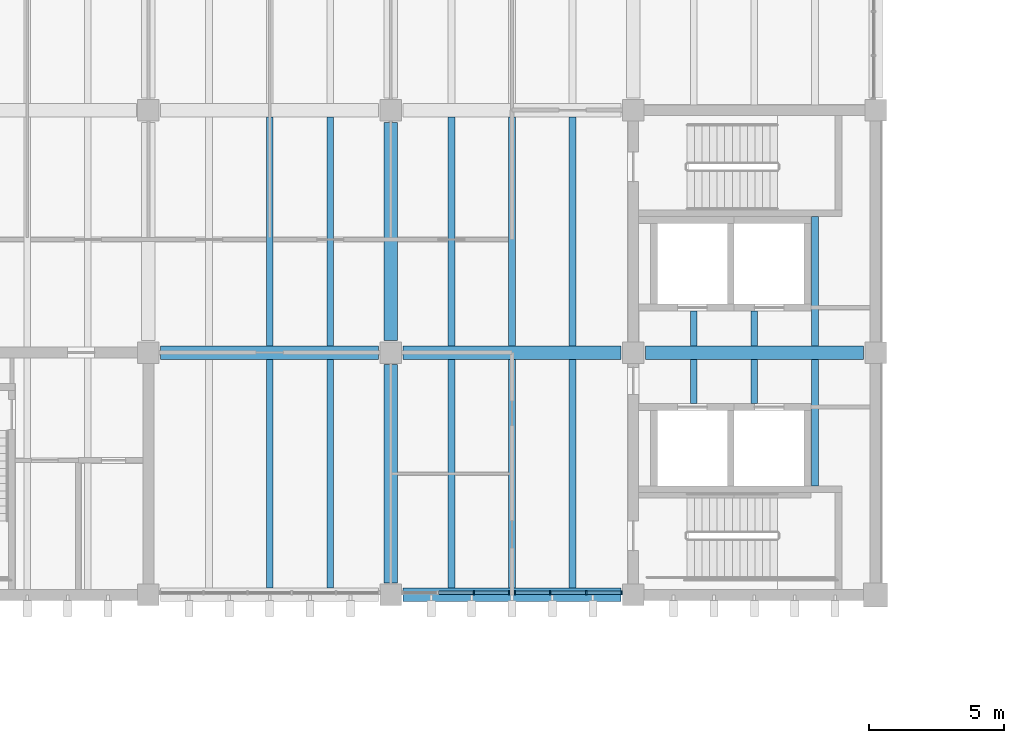
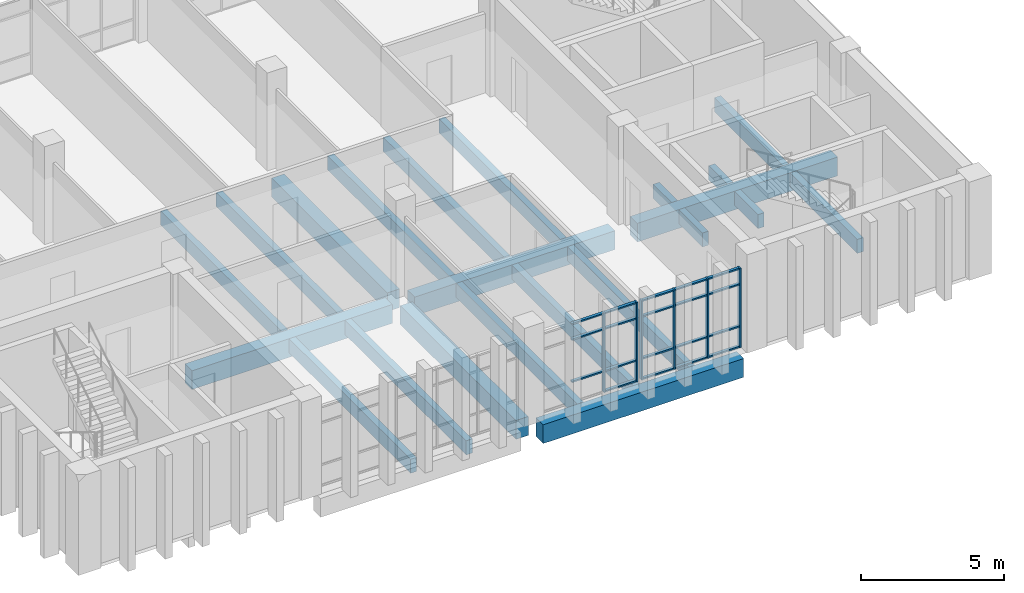
# One storey, part 17 of 50: 25 members, 22 beams, 2 elements without a shape of their own.
"""IFC4 building model written with IfcOpenShell, lengths in metres."""

from ifc_helpers import new_model, si_unit, direction, frame, origin, origin_2d, place, context, subcontext, project, spatial, rectangle, extrude, material, material_profile, profile_set, type_object, element, aggregate, save


model = new_model("IFC4")

# Units and contexts
model_context = context("Model", 3, precision=1e-05, world=origin(), true_north=direction((0.0, 1.0)))
body_context = subcontext(model_context, "Body", "Model", "MODEL_VIEW")
ifc_project = project(units=[si_unit("LENGTHUNIT", "METRE"), si_unit("AREAUNIT", "SQUARE_METRE"), si_unit("VOLUMEUNIT", "CUBIC_METRE"), si_unit("PLANEANGLEUNIT", "RADIAN"), si_unit("MASSUNIT", "GRAM", prefix="KILO")], contexts=[model_context])

# Site, building, storey
site_placement = place(None, origin())
site = spatial("IfcSite", under=ifc_project, at=site_placement, CompositionType="ELEMENT")
building_placement = place(site_placement, origin())
building = spatial("IfcBuilding", under=site, at=building_placement, Name="Merrow Basin Faculty of Sciences", CompositionType="ELEMENT")
storey_placement = place(building_placement, frame((0.0, 0.0, 18.0)))
storey = spatial("IfcBuildingStorey", under=building, at=storey_placement, Name="L04", CompositionType="ELEMENT", Elevation=18.0)

# Curtain wall, members
ifc_material_1 = material(Name="Aluminium alloy 6063", Category="aluminium")
curtain_wall_type = type_object("IfcCurtainWallType", Name="Unitised curtain wall 160", PredefinedType="NOTDEFINED", material=ifc_material_1)
curtain_wall_1_placement = place(storey_placement, origin())
curtain_wall_1 = element("IfcCurtainWall", 1, at=curtain_wall_1_placement, inside=storey, type_object=curtain_wall_type, Name="S curtain wall L04 2", PredefinedType="NOTDEFINED")
ifc_material_2 = material(Name="Aluminium alloy 6063", Category="aluminium")
ifc_material_profile_1 = material_profile(ifc_material_2, rectangle(XDim=0.159912109375, YDim=0.06005859375, at=origin_2d()))
ifc_profile_set_1 = profile_set([ifc_material_profile_1], Name="Aluminium alloy 6063")
member_type_1 = type_object("IfcMemberType", Name="Aluminium mullion 60x160", PredefinedType="MULLION", material=ifc_profile_set_1)
member_1_placement = place(storey_placement, frame((39.083251953125, 142.080078125, 0.0), z_axis=(0.0, 0.0, 1.0), x_axis=(0.0, 1.0, 0.0)))
member_1 = element("IfcMember", 2, at=member_1_placement, type_object=member_type_1, Name="CW3 mullion 3", PredefinedType="MULLION", context=body_context, shape_type="SweptSolid", body=[
    extrude(rectangle(XDim=0.159912109375, YDim=0.06005859375, at=origin_2d()), origin(), (0.0, 0.0, 1.0), 3.39990234375),
])
member_2_placement = place(storey_placement, frame((40.39501953125, 142.080078125, 0.0), z_axis=(0.0, 0.0, 1.0), x_axis=(0.0, 1.0, 0.0)))
member_2 = element("IfcMember", 3, at=member_2_placement, type_object=member_type_1, Name="CW3 mullion 4", PredefinedType="MULLION", context=body_context, shape_type="SweptSolid", body=[
    extrude(rectangle(XDim=0.159912109375, YDim=0.06005859375, at=origin_2d()), origin(), (0.0, 0.0, 1.0), 3.39990234375),
])

curtain_wall_2_placement = place(storey_placement, origin())
curtain_wall_2 = element("IfcCurtainWall", 4, at=curtain_wall_2_placement, inside=storey, type_object=curtain_wall_type, Name="S curtain wall L04 3", PredefinedType="NOTDEFINED")
member_3_placement = place(storey_placement, frame((40.60498046875, 142.080078125, 0.0), z_axis=(0.0, 0.0, 1.0), x_axis=(0.0, 1.0, 0.0)))
member_3 = element("IfcMember", 5, at=member_3_placement, type_object=member_type_1, Name="CW3 mullion 1", PredefinedType="MULLION", context=body_context, shape_type="SweptSolid", body=[
    extrude(rectangle(XDim=0.159912109375, YDim=0.06005859375, at=origin_2d()), origin(), (0.0, 0.0, 1.0), 3.39990234375),
])
member_4_placement = place(storey_placement, frame((41.916748046875, 142.080078125, 0.0), z_axis=(0.0, 0.0, 1.0), x_axis=(0.0, 1.0, 0.0)))
member_4 = element("IfcMember", 6, at=member_4_placement, type_object=member_type_1, Name="CW3 mullion 2", PredefinedType="MULLION", context=body_context, shape_type="SweptSolid", body=[
    extrude(rectangle(XDim=0.159912109375, YDim=0.06005859375, at=origin_2d()), origin(), (0.0, 0.0, 1.0), 3.39990234375),
])
member_5_placement = place(storey_placement, frame((43.25830078125, 142.080078125, 0.0), z_axis=(0.0, 0.0, 1.0), x_axis=(0.0, 1.0, 0.0)))
member_5 = element("IfcMember", 7, at=member_5_placement, type_object=member_type_1, Name="CW3 mullion 3", PredefinedType="MULLION", context=body_context, shape_type="SweptSolid", body=[
    extrude(rectangle(XDim=0.159912109375, YDim=0.06005859375, at=origin_2d()), origin(), (0.0, 0.0, 1.0), 3.39990234375),
])
member_6_placement = place(storey_placement, frame((44.570068359375, 142.080078125, 0.0), z_axis=(0.0, 0.0, 1.0), x_axis=(0.0, 1.0, 0.0)))
member_6 = element("IfcMember", 8, at=member_6_placement, type_object=member_type_1, Name="CW3 mullion 4", PredefinedType="MULLION", context=body_context, shape_type="SweptSolid", body=[
    extrude(rectangle(XDim=0.159912109375, YDim=0.06005859375, at=origin_2d()), origin(), (0.0, 0.0, 1.0), 3.39990234375),
])

# Member
ifc_material_3 = material(Name="Aluminium alloy 6063", Category="aluminium")
ifc_material_profile_2 = material_profile(ifc_material_3, rectangle(XDim=0.1201171875, YDim=0.06005859375, at=origin_2d()))
ifc_profile_set_2 = profile_set([ifc_material_profile_2], Name="Aluminium alloy 6063")
member_type_2 = type_object("IfcMemberType", Name="Aluminium transom 60x120", PredefinedType="USERDEFINED", material=ifc_profile_set_2)
member_7_placement = place(storey_placement, frame((37.771728515625, 142.080078125, 0.89990234375), z_axis=(1.0, 0.0, 0.0), x_axis=(0.0, 1.0, 0.0)))
member_7 = element("IfcMember", 9, at=member_7_placement, type_object=member_type_2, Name="CW3 transom 2.2", ObjectType="TRANSOM", PredefinedType="USERDEFINED", context=body_context, shape_type="SweptSolid", body=[
    extrude(rectangle(XDim=0.1201171875, YDim=0.06005859375, at=origin_2d()), origin(), (0.0, 0.0, 1.0), 1.281494140625),
])

member_8_placement = place(storey_placement, frame((37.771728515625, 142.080078125, 2.699951171875), z_axis=(1.0, 0.0, 0.0), x_axis=(0.0, 1.0, 0.0)))
member_8 = element("IfcMember", 10, at=member_8_placement, type_object=member_type_2, Name="CW3 transom 2.3", ObjectType="TRANSOM", PredefinedType="USERDEFINED", context=body_context, shape_type="SweptSolid", body=[
    extrude(rectangle(XDim=0.1201171875, YDim=0.06005859375, at=origin_2d()), origin(), (0.0, 0.0, 1.0), 1.281494140625),
])

member_9_placement = place(storey_placement, frame((37.771728515625, 142.080078125, 3.3701171875), z_axis=(1.0, 0.0, 0.0), x_axis=(0.0, 1.0, 0.0)))
member_9 = element("IfcMember", 11, at=member_9_placement, type_object=member_type_2, Name="CW3 transom 2.4", ObjectType="TRANSOM", PredefinedType="USERDEFINED", context=body_context, shape_type="SweptSolid", body=[
    extrude(rectangle(XDim=0.1201171875, YDim=0.06005859375, at=origin_2d()), origin(), (0.0, 0.0, 1.0), 1.281494140625),
])

member_10_placement = place(storey_placement, frame((39.11328125, 142.080078125, 0.030029296875), z_axis=(1.0, 0.0, 0.0), x_axis=(0.0, 1.0, 0.0)))
member_10 = element("IfcMember", 12, at=member_10_placement, type_object=member_type_2, Name="CW3 transom 3.1", ObjectType="TRANSOM", PredefinedType="USERDEFINED", context=body_context, shape_type="SweptSolid", body=[
    extrude(rectangle(XDim=0.1201171875, YDim=0.06005859375, at=origin_2d()), origin(), (0.0, 0.0, 1.0), 1.251708984375),
])

member_11_placement = place(storey_placement, frame((39.11328125, 142.080078125, 0.89990234375), z_axis=(1.0, 0.0, 0.0), x_axis=(0.0, 1.0, 0.0)))
member_11 = element("IfcMember", 13, at=member_11_placement, type_object=member_type_2, Name="CW3 transom 3.2", ObjectType="TRANSOM", PredefinedType="USERDEFINED", context=body_context, shape_type="SweptSolid", body=[
    extrude(rectangle(XDim=0.1201171875, YDim=0.06005859375, at=origin_2d()), origin(), (0.0, 0.0, 1.0), 1.251708984375),
])

member_12_placement = place(storey_placement, frame((39.11328125, 142.080078125, 2.699951171875), z_axis=(1.0, 0.0, 0.0), x_axis=(0.0, 1.0, 0.0)))
member_12 = element("IfcMember", 14, at=member_12_placement, type_object=member_type_2, Name="CW3 transom 3.3", ObjectType="TRANSOM", PredefinedType="USERDEFINED", context=body_context, shape_type="SweptSolid", body=[
    extrude(rectangle(XDim=0.1201171875, YDim=0.06005859375, at=origin_2d()), origin(), (0.0, 0.0, 1.0), 1.251708984375),
])

member_13_placement = place(storey_placement, frame((39.11328125, 142.080078125, 3.3701171875), z_axis=(1.0, 0.0, 0.0), x_axis=(0.0, 1.0, 0.0)))
member_13 = element("IfcMember", 15, at=member_13_placement, type_object=member_type_2, Name="CW3 transom 3.4", ObjectType="TRANSOM", PredefinedType="USERDEFINED", context=body_context, shape_type="SweptSolid", body=[
    extrude(rectangle(XDim=0.1201171875, YDim=0.06005859375, at=origin_2d()), origin(), (0.0, 0.0, 1.0), 1.251708984375),
])

aggregate(curtain_wall_1, [member_1, member_2, member_7, member_8, member_9, member_10, member_11, member_12, member_13])

member_14_placement = place(storey_placement, frame((40.635009765625, 142.080078125, 0.030029296875), z_axis=(1.0, 0.0, 0.0), x_axis=(0.0, 1.0, 0.0)))
member_14 = element("IfcMember", 16, at=member_14_placement, type_object=member_type_2, Name="CW3 transom 1.1", ObjectType="TRANSOM", PredefinedType="USERDEFINED", context=body_context, shape_type="SweptSolid", body=[
    extrude(rectangle(XDim=0.1201171875, YDim=0.06005859375, at=origin_2d()), origin(), (0.0, 0.0, 1.0), 1.251708984375),
])

member_15_placement = place(storey_placement, frame((40.635009765625, 142.080078125, 0.89990234375), z_axis=(1.0, 0.0, 0.0), x_axis=(0.0, 1.0, 0.0)))
member_15 = element("IfcMember", 17, at=member_15_placement, type_object=member_type_2, Name="CW3 transom 1.2", ObjectType="TRANSOM", PredefinedType="USERDEFINED", context=body_context, shape_type="SweptSolid", body=[
    extrude(rectangle(XDim=0.1201171875, YDim=0.06005859375, at=origin_2d()), origin(), (0.0, 0.0, 1.0), 1.251708984375),
])

member_16_placement = place(storey_placement, frame((40.635009765625, 142.080078125, 2.699951171875), z_axis=(1.0, 0.0, 0.0), x_axis=(0.0, 1.0, 0.0)))
member_16 = element("IfcMember", 18, at=member_16_placement, type_object=member_type_2, Name="CW3 transom 1.3", ObjectType="TRANSOM", PredefinedType="USERDEFINED", context=body_context, shape_type="SweptSolid", body=[
    extrude(rectangle(XDim=0.1201171875, YDim=0.06005859375, at=origin_2d()), origin(), (0.0, 0.0, 1.0), 1.251708984375),
])

member_17_placement = place(storey_placement, frame((40.635009765625, 142.080078125, 3.3701171875), z_axis=(1.0, 0.0, 0.0), x_axis=(0.0, 1.0, 0.0)))
member_17 = element("IfcMember", 19, at=member_17_placement, type_object=member_type_2, Name="CW3 transom 1.4", ObjectType="TRANSOM", PredefinedType="USERDEFINED", context=body_context, shape_type="SweptSolid", body=[
    extrude(rectangle(XDim=0.1201171875, YDim=0.06005859375, at=origin_2d()), origin(), (0.0, 0.0, 1.0), 1.251708984375),
])

member_18_placement = place(storey_placement, frame((41.94677734375, 142.080078125, 0.030029296875), z_axis=(1.0, 0.0, 0.0), x_axis=(0.0, 1.0, 0.0)))
member_18 = element("IfcMember", 20, at=member_18_placement, type_object=member_type_2, Name="CW3 transom 2.1", ObjectType="TRANSOM", PredefinedType="USERDEFINED", context=body_context, shape_type="SweptSolid", body=[
    extrude(rectangle(XDim=0.1201171875, YDim=0.06005859375, at=origin_2d()), origin(), (0.0, 0.0, 1.0), 1.281494140625),
])

member_19_placement = place(storey_placement, frame((41.94677734375, 142.080078125, 0.89990234375), z_axis=(1.0, 0.0, 0.0), x_axis=(0.0, 1.0, 0.0)))
member_19 = element("IfcMember", 21, at=member_19_placement, type_object=member_type_2, Name="CW3 transom 2.2", ObjectType="TRANSOM", PredefinedType="USERDEFINED", context=body_context, shape_type="SweptSolid", body=[
    extrude(rectangle(XDim=0.1201171875, YDim=0.06005859375, at=origin_2d()), origin(), (0.0, 0.0, 1.0), 1.281494140625),
])

member_20_placement = place(storey_placement, frame((41.94677734375, 142.080078125, 2.699951171875), z_axis=(1.0, 0.0, 0.0), x_axis=(0.0, 1.0, 0.0)))
member_20 = element("IfcMember", 22, at=member_20_placement, type_object=member_type_2, Name="CW3 transom 2.3", ObjectType="TRANSOM", PredefinedType="USERDEFINED", context=body_context, shape_type="SweptSolid", body=[
    extrude(rectangle(XDim=0.1201171875, YDim=0.06005859375, at=origin_2d()), origin(), (0.0, 0.0, 1.0), 1.281494140625),
])

member_21_placement = place(storey_placement, frame((41.94677734375, 142.080078125, 3.3701171875), z_axis=(1.0, 0.0, 0.0), x_axis=(0.0, 1.0, 0.0)))
member_21 = element("IfcMember", 23, at=member_21_placement, type_object=member_type_2, Name="CW3 transom 2.4", ObjectType="TRANSOM", PredefinedType="USERDEFINED", context=body_context, shape_type="SweptSolid", body=[
    extrude(rectangle(XDim=0.1201171875, YDim=0.06005859375, at=origin_2d()), origin(), (0.0, 0.0, 1.0), 1.281494140625),
])

member_22_placement = place(storey_placement, frame((43.288330078125, 142.080078125, 0.030029296875), z_axis=(1.0, 0.0, 0.0), x_axis=(0.0, 1.0, 0.0)))
member_22 = element("IfcMember", 24, at=member_22_placement, type_object=member_type_2, Name="CW3 transom 3.1", ObjectType="TRANSOM", PredefinedType="USERDEFINED", context=body_context, shape_type="SweptSolid", body=[
    extrude(rectangle(XDim=0.1201171875, YDim=0.06005859375, at=origin_2d()), origin(), (0.0, 0.0, 1.0), 1.251708984375),
])

member_23_placement = place(storey_placement, frame((43.288330078125, 142.080078125, 0.89990234375), z_axis=(1.0, 0.0, 0.0), x_axis=(0.0, 1.0, 0.0)))
member_23 = element("IfcMember", 25, at=member_23_placement, type_object=member_type_2, Name="CW3 transom 3.2", ObjectType="TRANSOM", PredefinedType="USERDEFINED", context=body_context, shape_type="SweptSolid", body=[
    extrude(rectangle(XDim=0.1201171875, YDim=0.06005859375, at=origin_2d()), origin(), (0.0, 0.0, 1.0), 1.251708984375),
])

member_24_placement = place(storey_placement, frame((43.288330078125, 142.080078125, 2.699951171875), z_axis=(1.0, 0.0, 0.0), x_axis=(0.0, 1.0, 0.0)))
member_24 = element("IfcMember", 26, at=member_24_placement, type_object=member_type_2, Name="CW3 transom 3.3", ObjectType="TRANSOM", PredefinedType="USERDEFINED", context=body_context, shape_type="SweptSolid", body=[
    extrude(rectangle(XDim=0.1201171875, YDim=0.06005859375, at=origin_2d()), origin(), (0.0, 0.0, 1.0), 1.251708984375),
])

member_25_placement = place(storey_placement, frame((43.288330078125, 142.080078125, 3.3701171875), z_axis=(1.0, 0.0, 0.0), x_axis=(0.0, 1.0, 0.0)))
member_25 = element("IfcMember", 27, at=member_25_placement, type_object=member_type_2, Name="CW3 transom 3.4", ObjectType="TRANSOM", PredefinedType="USERDEFINED", context=body_context, shape_type="SweptSolid", body=[
    extrude(rectangle(XDim=0.1201171875, YDim=0.06005859375, at=origin_2d()), origin(), (0.0, 0.0, 1.0), 1.251708984375),
])

aggregate(curtain_wall_2, [member_3, member_4, member_5, member_6, member_14, member_15, member_16, member_17, member_18, member_19, member_20, member_21, member_22, member_23, member_24, member_25])

# Beams
ifc_material_4 = material(Name="Concrete C40/50", Category="concrete")
ifc_material_profile_3 = material_profile(ifc_material_4, rectangle(XDim=0.5, YDim=0.800048828125, at=origin_2d()))
ifc_profile_set_3 = profile_set([ifc_material_profile_3], Name="Concrete C40/50")
beam_type_1 = type_object("IfcBeamType", Name="Beam RC500x800 C40/50", PredefinedType="BEAM", material=ifc_profile_set_3)
for number, where, z_axis, x_axis, name in (
    (28, (36.449951171875, 142.0, -0.699951171875), (1.0, 0.0, 0.0), (0.0, 1.0, 0.0), "B4 L04 002"),
    (29, (27.449951171875, 151.0, -0.699951171875), (1.0, 0.0, 0.0), (0.0, 1.0, 0.0), "B4 L04 003"),
    (30, (36.449951171875, 151.0, -0.699951171875), (1.0, 0.0, 0.0), (0.0, 1.0, 0.0), "B4 L04 004"),
    (31, (45.449951171875, 151.0, -0.699951171875), (1.0, 0.0, 0.0), (0.0, 1.0, 0.0), "B4 L04 005"),
    (32, (36.0, 142.449951171875, -0.699951171875), (0.0, 1.0, 0.0), (-1.0, 0.0, 0.0), "B4 L04 017"),
    (33, (36.0, 151.449951171875, -0.699951171875), (0.0, 1.0, 0.0), (-1.0, 0.0, 0.0), "B4 L04 018"),
):
    element("IfcBeam", number, at=place(storey_placement, frame(where, z_axis=z_axis, x_axis=x_axis)), inside=storey, type_object=beam_type_1, Name=name, PredefinedType="BEAM", context=body_context, shape_type="SweptSolid", body=[
        extrude(rectangle(XDim=0.5, YDim=0.800048828125, at=origin_2d()), origin(), (0.0, 0.0, 1.0), 8.10009765625),
    ])
ifc_material_5 = material(Name="Concrete C40/50", Category="concrete")
ifc_material_profile_4 = material_profile(ifc_material_5, rectangle(XDim=0.25, YDim=0.60009765625, at=origin_2d()))
ifc_profile_set_4 = profile_set([ifc_material_profile_4], Name="Concrete C40/50")
beam_type_2 = type_object("IfcBeamType", Name="Tower floor joist RC250x600 C40/50", PredefinedType="BEAM", material=ifc_profile_set_4)
for number, where, z_axis, x_axis, name in (
    (34, (31.5, 142.25, -0.60009765625), (0.0, 1.0, 0.0), (-1.0, 0.0, 0.0), "JT1 L04 033"),
    (35, (33.75, 142.25, -0.60009765625), (0.0, 1.0, 0.0), (-1.0, 0.0, 0.0), "JT1 L04 034"),
    (36, (31.5, 151.25, -0.60009765625), (0.0, 1.0, 0.0), (-1.0, 0.0, 0.0), "JT1 L04 036"),
    (37, (33.75, 151.25, -0.60009765625), (0.0, 1.0, 0.0), (-1.0, 0.0, 0.0), "JT1 L04 037"),
    (38, (38.25, 142.25, -0.60009765625), (0.0, 1.0, 0.0), (-1.0, 0.0, 0.0), "JT1 L04 041"),
    (39, (40.5, 142.25, -0.60009765625), (0.0, 1.0, 0.0), (-1.0, 0.0, 0.0), "JT1 L04 042"),
    (40, (42.75, 142.25, -0.60009765625), (0.0, 1.0, 0.0), (-1.0, 0.0, 0.0), "JT1 L04 043"),
    (41, (38.25, 151.25, -0.60009765625), (0.0, 1.0, 0.0), (-1.0, 0.0, 0.0), "JT1 L04 044"),
    (42, (40.5, 151.25, -0.60009765625), (0.0, 1.0, 0.0), (-1.0, 0.0, 0.0), "JT1 L04 045"),
    (43, (42.75, 151.25, -0.60009765625), (0.0, 1.0, 0.0), (-1.0, 0.0, 0.0), "JT1 L04 046"),
):
    element("IfcBeam", number, at=place(storey_placement, frame(where, z_axis=z_axis, x_axis=x_axis)), inside=storey, type_object=beam_type_2, Name=name, PredefinedType="BEAM", context=body_context, shape_type="SweptSolid", body=[
        extrude(rectangle(XDim=0.25, YDim=0.60009765625, at=origin_2d()), origin(), (0.0, 0.0, 1.0), 8.5),
    ])
for number, where, z_axis, x_axis, name in (
    (44, (47.25, 149.10009765625, -0.60009765625), (0.0, 1.0, 0.0), (-1.0, 0.0, 0.0), "JT1 L04 050"),
    (45, (49.5, 149.10009765625, -0.60009765625), (0.0, 1.0, 0.0), (-1.0, 0.0, 0.0), "JT1 L04 051"),
):
    element("IfcBeam", number, at=place(storey_placement, frame(where, z_axis=z_axis, x_axis=x_axis)), inside=storey, type_object=beam_type_2, Name=name, PredefinedType="BEAM", context=body_context, shape_type="SweptSolid", body=[
        extrude(rectangle(XDim=0.25, YDim=0.60009765625, at=origin_2d()), origin(), (0.0, 0.0, 1.0), 1.64990234375),
    ])
beam_1_placement = place(storey_placement, frame((51.75, 146.050048828125, -0.60009765625), z_axis=(0.0, 1.0, 0.0), x_axis=(-1.0, 0.0, 0.0)))
element("IfcBeam", 46, at=beam_1_placement, inside=storey, type_object=beam_type_2, Name="JT1 L04 052", PredefinedType="BEAM", context=body_context, shape_type="SweptSolid", body=[
    extrude(rectangle(XDim=0.25, YDim=0.60009765625, at=origin_2d()), origin(), (0.0, 0.0, 1.0), 4.699951171875),
])
for number, where, z_axis, x_axis, name in (
    (47, (47.25, 151.25, -0.60009765625), (0.0, 1.0, 0.0), (-1.0, 0.0, 0.0), "JT1 L04 053"),
    (48, (49.5, 151.25, -0.60009765625), (0.0, 1.0, 0.0), (-1.0, 0.0, 0.0), "JT1 L04 054"),
):
    element("IfcBeam", number, at=place(storey_placement, frame(where, z_axis=z_axis, x_axis=x_axis)), inside=storey, type_object=beam_type_2, Name=name, PredefinedType="BEAM", context=body_context, shape_type="SweptSolid", body=[
        extrude(rectangle(XDim=0.25, YDim=0.60009765625, at=origin_2d()), origin(), (0.0, 0.0, 1.0), 1.300048828125),
    ])
beam_2_placement = place(storey_placement, frame((51.75, 151.25, -0.60009765625), z_axis=(0.0, 1.0, 0.0), x_axis=(-1.0, 0.0, 0.0)))
element("IfcBeam", 49, at=beam_2_placement, inside=storey, type_object=beam_type_2, Name="JT1 L04 055", PredefinedType="BEAM", context=body_context, shape_type="SweptSolid", body=[
    extrude(rectangle(XDim=0.25, YDim=0.60009765625, at=origin_2d()), origin(), (0.0, 0.0, 1.0), 4.800048828125),
])

save(model, "model.ifc")
